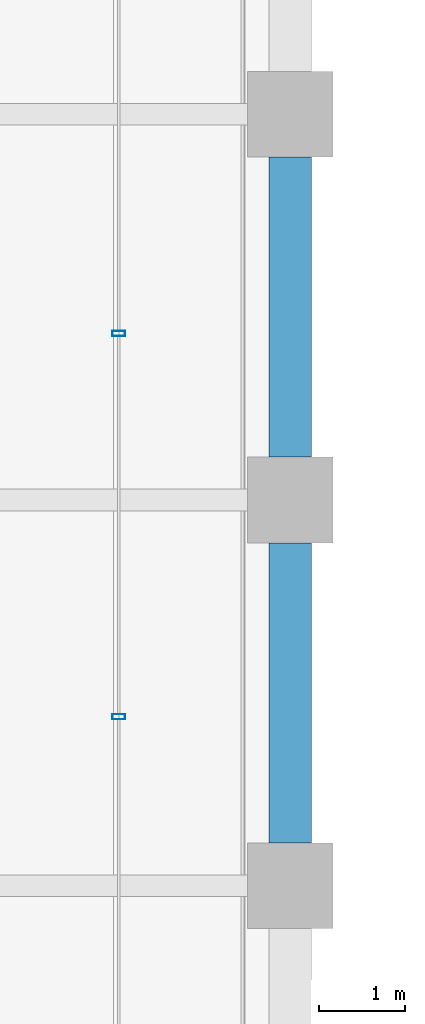
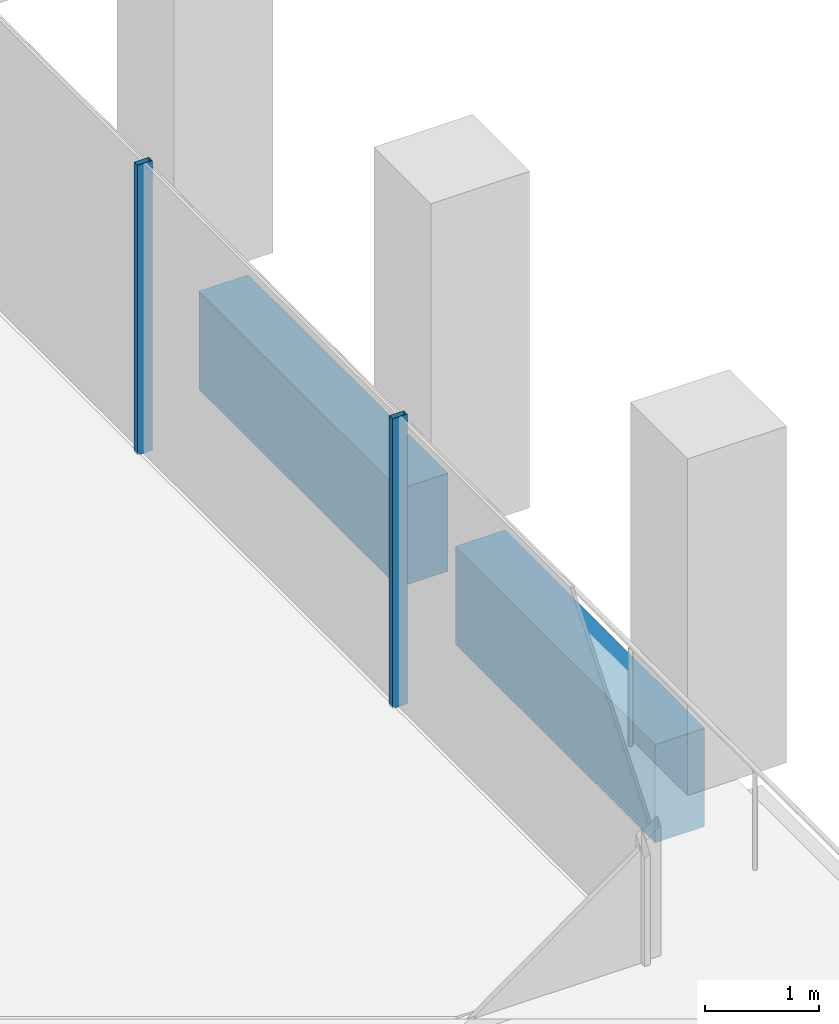
# One storey, part 15 of 45: 2 beams, 2 members, 1 element without a shape of its own.
"""IFC4 building model written with IfcOpenShell, lengths in metres."""

from ifc_helpers import new_model, si_unit, direction, frame, origin, origin_2d, place, context, subcontext, project, spatial, rectangle, hollow_rectangle, extrude, material, material_profile, profile_set, type_object, element, aggregate, save


model = new_model("IFC4")

# Units and contexts
model_context = context("Model", 3, precision=1e-05, world=origin(), true_north=direction((0.0, 1.0)))
body_context = subcontext(model_context, "Body", "Model", "MODEL_VIEW")
ifc_project = project(units=[si_unit("LENGTHUNIT", "METRE"), si_unit("AREAUNIT", "SQUARE_METRE"), si_unit("VOLUMEUNIT", "CUBIC_METRE"), si_unit("PLANEANGLEUNIT", "RADIAN"), si_unit("MASSUNIT", "GRAM", prefix="KILO")], contexts=[model_context])

# Site, building, storey
site_placement = place(None, origin())
site = spatial("IfcSite", under=ifc_project, at=site_placement, CompositionType="ELEMENT")
building_placement = place(site_placement, origin())
building = spatial("IfcBuilding", under=site, at=building_placement, Name="Altepetl Exchange Towers", CompositionType="ELEMENT")
storey_placement = place(building_placement, frame((0.0, 0.0, 110.0)))
storey = spatial("IfcBuildingStorey", under=building, at=storey_placement, Name="L27", CompositionType="ELEMENT", Elevation=110.0)

# Curtain wall, members
ifc_material_1 = material(Name="Aluminium 6063-T6 glazing", Category="aluminium")
curtain_wall_type = type_object("IfcCurtainWallType", Name="Loggia glazing system", PredefinedType="NOTDEFINED", material=ifc_material_1)
curtain_wall_placement = place(storey_placement, origin())
curtain_wall = element("IfcCurtainWall", 1, at=curtain_wall_placement, inside=storey, type_object=curtain_wall_type, Name="CW1 run", PredefinedType="NOTDEFINED")
ifc_material_2 = material(Name="Aluminium 6063-T6", Category="aluminium")
ifc_material_profile_1 = material_profile(ifc_material_2, hollow_rectangle(XDim=0.06005859375, YDim=0.14990234375, WallThickness=0.0029296875, at=origin_2d()), Name="Mullion 60x150 aluminium")
ifc_profile_set_1 = profile_set([ifc_material_profile_1], Name="Aluminium 6063-T6")
member_type = type_object("IfcMemberType", Name="Mullion 60x150 aluminium", PredefinedType="MULLION", material=ifc_profile_set_1)
member_1_placement = place(storey_placement, frame((70.0, 37.970947265625, 0.0), z_axis=(0.0, 0.0, 1.0), x_axis=(0.0, 1.0, 0.0)))
member_1 = element("IfcMember", 2, at=member_1_placement, type_object=member_type, Name="MU1 mullion", PredefinedType="MULLION", context=body_context, shape_type="SweptSolid", body=[
    extrude(hollow_rectangle(XDim=0.06005859375, YDim=0.14990234375, WallThickness=0.0029296875, at=origin_2d()), origin(), (0.0, 0.0, 1.0), 3.10009765625),
])
member_2_placement = place(storey_placement, frame((70.0, 42.44189453125, 0.0), z_axis=(0.0, 0.0, 1.0), x_axis=(0.0, 1.0, 0.0)))
member_2 = element("IfcMember", 3, at=member_2_placement, type_object=member_type, Name="MU1 mullion", PredefinedType="MULLION", context=body_context, shape_type="SweptSolid", body=[
    extrude(hollow_rectangle(XDim=0.06005859375, YDim=0.14990234375, WallThickness=0.0029296875, at=origin_2d()), origin(), (0.0, 0.0, 1.0), 3.10009765625),
])
aggregate(curtain_wall, [member_1, member_2])

# Beams
ifc_material_3 = material(Name="Concrete C50/60 precast with cantera amarilla facing", Category="concrete")
ifc_material_profile_2 = material_profile(ifc_material_3, rectangle(XDim=0.5, YDim=1.050048828125, at=origin_2d()), Name="500 x 1050")
ifc_profile_set_2 = profile_set([ifc_material_profile_2], Name="Concrete C50/60 precast with cantera amarilla facing")
beam_type = type_object("IfcBeamType", Name="Spandrel beam 500x1050 cantera amarilla", PredefinedType="SPANDREL", material=ifc_profile_set_2)
for number, where, z_axis, x_axis, name in (
    (4, (72.0, 36.5, -0.675048828125), (0.0, 1.0, 0.0), (-1.0, 0.0, 0.0), "sp:A:L27:013"),
    (5, (72.0, 41.0, -0.675048828125), (0.0, 1.0, 0.0), (-1.0, 0.0, 0.0), "sp:A:L27:014"),
):
    element("IfcBeam", number, at=place(storey_placement, frame(where, z_axis=z_axis, x_axis=x_axis)), inside=storey, type_object=beam_type, Name=name, PredefinedType="SPANDREL", context=body_context, shape_type="SweptSolid", body=[
        extrude(rectangle(XDim=0.5, YDim=1.050048828125, at=origin_2d()), origin(), (0.0, 0.0, 1.0), 3.5),
    ])

save(model, "model.ifc")
